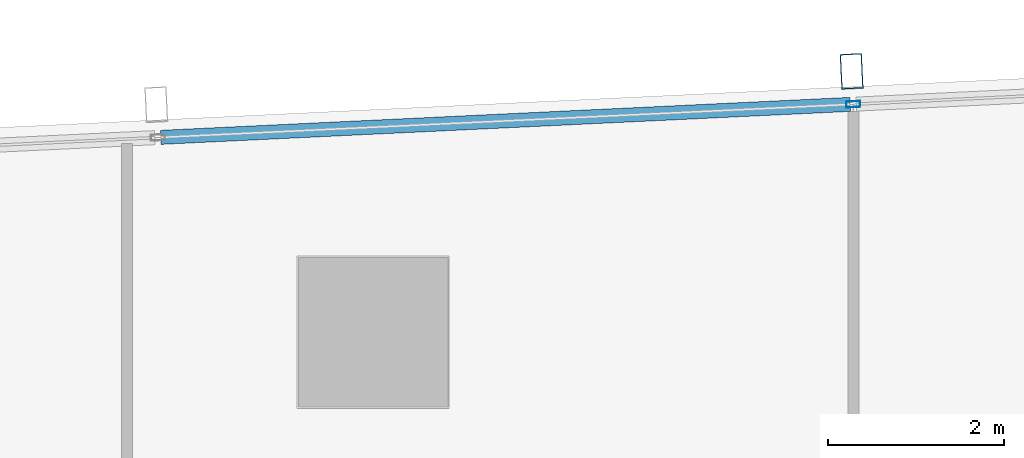
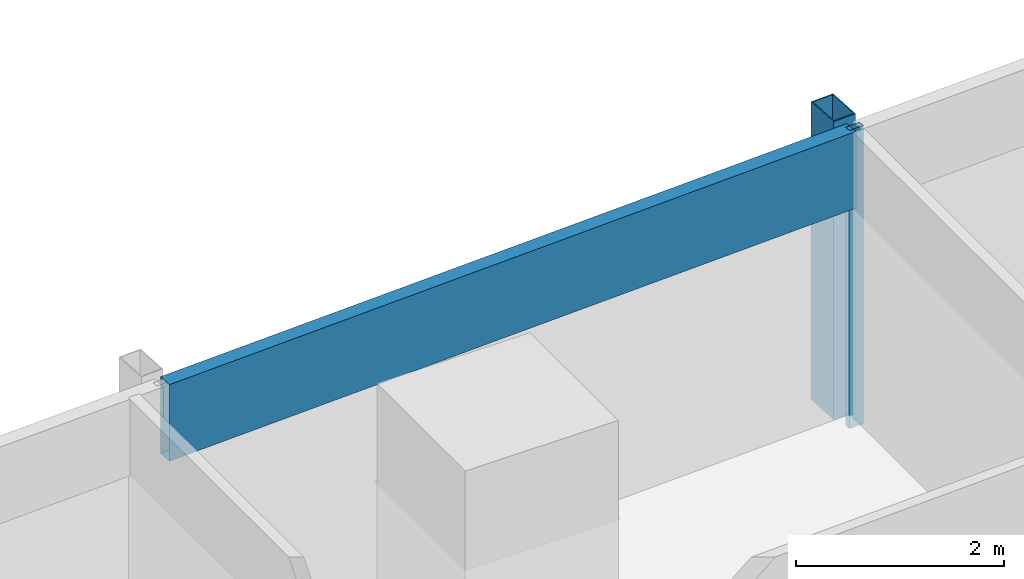
# One storey, part 17 of 34: 3 members, 1 element without a shape of its own.
"""IFC4 building model written with IfcOpenShell, lengths in metres."""

from ifc_helpers import new_model, si_unit, direction, frame, origin, origin_2d, place, context, subcontext, project, spatial, hollow_rectangle, extrude, material, material_profile, profile_set, type_object, element, aggregate, save


model = new_model("IFC4")

# Units and contexts
model_context = context("Model", 3, precision=1e-05, world=origin(), true_north=direction((0.0, 1.0)))
body_context = subcontext(model_context, "Body", "Model", "MODEL_VIEW")
ifc_project = project(units=[si_unit("LENGTHUNIT", "METRE"), si_unit("AREAUNIT", "SQUARE_METRE"), si_unit("VOLUMEUNIT", "CUBIC_METRE"), si_unit("PLANEANGLEUNIT", "RADIAN"), si_unit("MASSUNIT", "GRAM", prefix="KILO")], contexts=[model_context])

# Site, building, storey
site_placement = place(None, origin())
site = spatial("IfcSite", under=ifc_project, at=site_placement, CompositionType="ELEMENT")
building_placement = place(site_placement, origin())
building = spatial("IfcBuilding", under=site, at=building_placement, Name="Rekha Terrace Tower", CompositionType="ELEMENT")
storey_placement = place(building_placement, frame((0.0, 0.0, 176.449951171875)))
storey = spatial("IfcBuildingStorey", under=building, at=storey_placement, Name="L44", CompositionType="ELEMENT", Elevation=176.449951171875)

# Curtain wall, members
ifc_material_1 = material(Name="Aluminium framing", Category="aluminium")
curtain_wall_type = type_object("IfcCurtainWallType", Name="CW3 north unitised glazing", PredefinedType="USERDEFINED", material=ifc_material_1)
curtain_wall_placement = place(storey_placement, origin())
curtain_wall = element("IfcCurtainWall", 1, at=curtain_wall_placement, inside=storey, type_object=curtain_wall_type, Name="CW3 unitised curtain wall", ObjectType="UNITISED CURTAIN WALL", PredefinedType="USERDEFINED")
ifc_material_2 = material(Name="Steel S355 with fluorocarbon finish", Category="steel")
ifc_material_profile_1 = material_profile(ifc_material_2, hollow_rectangle(XDim=0.25, YDim=0.39990234375, WallThickness=0.012451171875, at=origin_2d()), Name="RHS400x250x12.5")
ifc_profile_set_1 = profile_set([ifc_material_profile_1], Name="Steel S355 with fluorocarbon finish")
member_type_1 = type_object("IfcMemberType", Name="BL1 facade blade RHS 400 x 250", PredefinedType="USERDEFINED", material=ifc_profile_set_1)
member_1_placement = place(storey_placement, frame((30.643310546875, 61.767578125, 0.0), z_axis=(0.0, 0.0, 1.0), x_axis=(-0.998858913274, -0.04775846913, 0.0)))
member_1 = element("IfcMember", 2, at=member_1_placement, type_object=member_type_1, Name="Facade blade", ObjectType="FACADE BLADE", PredefinedType="USERDEFINED", context=body_context, shape_type="SweptSolid", body=[
    extrude(hollow_rectangle(XDim=0.25, YDim=0.39990234375, WallThickness=0.012451171875, at=origin_2d()), origin(), (0.0, 0.0, 1.0), 3.5),
])
ifc_material_3 = material(Name="Aluminium mullion section", Category="aluminium")
ifc_material_profile_2 = material_profile(ifc_material_3, hollow_rectangle(XDim=0.070068359375, YDim=0.159912109375, WallThickness=0.00390625, at=origin_2d()), Name="AL RHS 70x160")
ifc_profile_set_2 = profile_set([ifc_material_profile_2], Name="Aluminium mullion section")
member_type_2 = type_object("IfcMemberType", Name="CW3 mullion RHS 70 x 160", PredefinedType="MULLION", material=ifc_profile_set_2)
member_2_placement = place(storey_placement, frame((30.6611328125, 61.39306640625, 0.0), z_axis=(0.0, 0.0, 1.0), x_axis=(0.047758616983, -0.998858906204, 0.0)))
member_2 = element("IfcMember", 3, at=member_2_placement, type_object=member_type_2, Name="CW3 mullion 3", PredefinedType="MULLION", context=body_context, shape_type="SweptSolid", body=[
    extrude(hollow_rectangle(XDim=0.070068359375, YDim=0.159912109375, WallThickness=0.00390625, at=origin_2d()), origin(), (0.0, 0.0, 1.0), 3.5),
])
ifc_material_4 = material(Name="Insulated aluminium spandrel box", Category="aluminium")
ifc_material_profile_3 = material_profile(ifc_material_4, hollow_rectangle(XDim=0.159912109375, YDim=0.89990234375, WallThickness=0.0029296875, at=origin_2d()), Name="AL SPANDREL BOX 160x900")
ifc_profile_set_3 = profile_set([ifc_material_profile_3], Name="Insulated aluminium spandrel box")
member_type_3 = type_object("IfcMemberType", Name="CW3 spandrel transom 160 x 900", PredefinedType="USERDEFINED", material=ifc_profile_set_3)
member_3_placement = place(storey_placement, frame((30.626220703125, 61.391357421875, 3.050048828125), z_axis=(-0.998859323292, -0.047749892907, 0.0), x_axis=(0.047749892907, -0.998859323292, 0.0)))
member_3 = element("IfcMember", 4, at=member_3_placement, type_object=member_type_3, Name="CW3 spandrel transom 3", ObjectType="TRANSOM", PredefinedType="USERDEFINED", context=body_context, shape_type="SweptSolid", body=[
    extrude(hollow_rectangle(XDim=0.159912109375, YDim=0.89990234375, WallThickness=0.0029296875, at=origin_2d()), origin(), (0.0, 0.0, 1.0), 7.848388671875),
])
aggregate(curtain_wall, [member_2, member_3, member_1])

save(model, "model.ifc")
